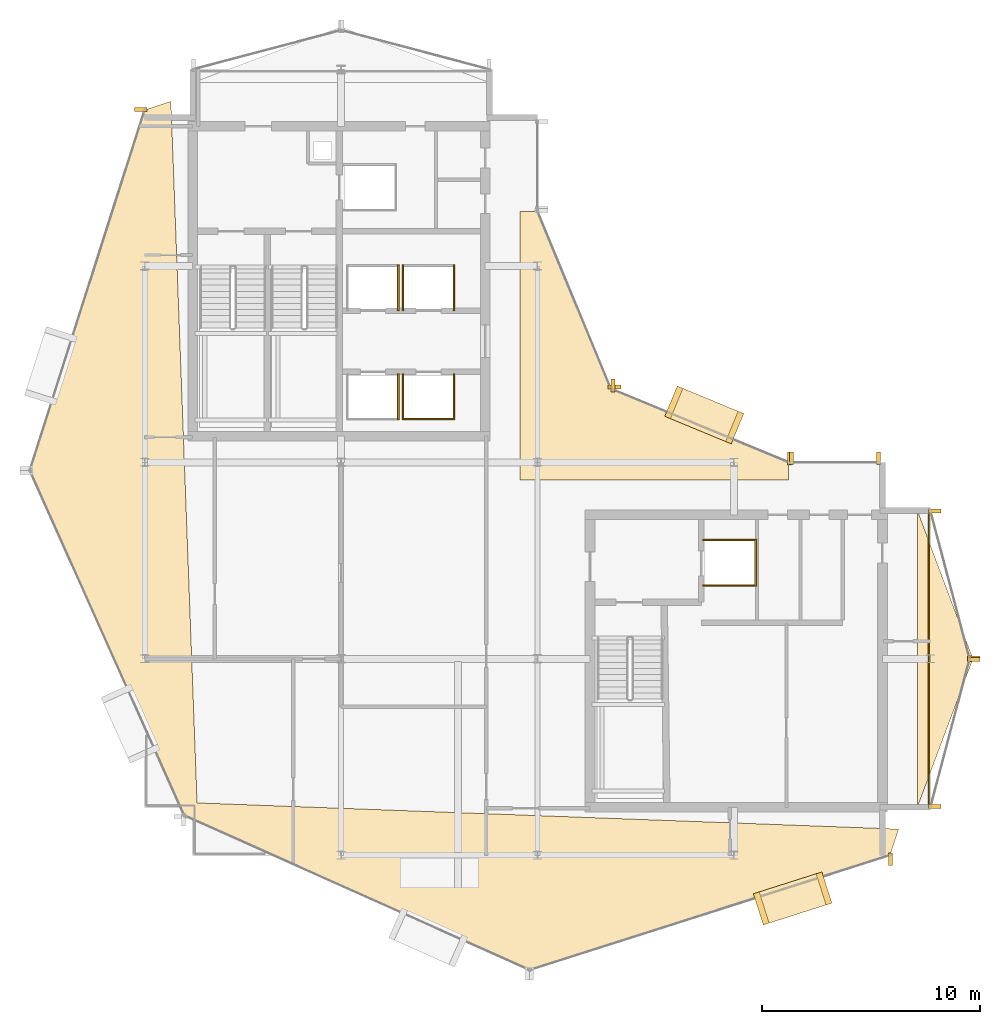
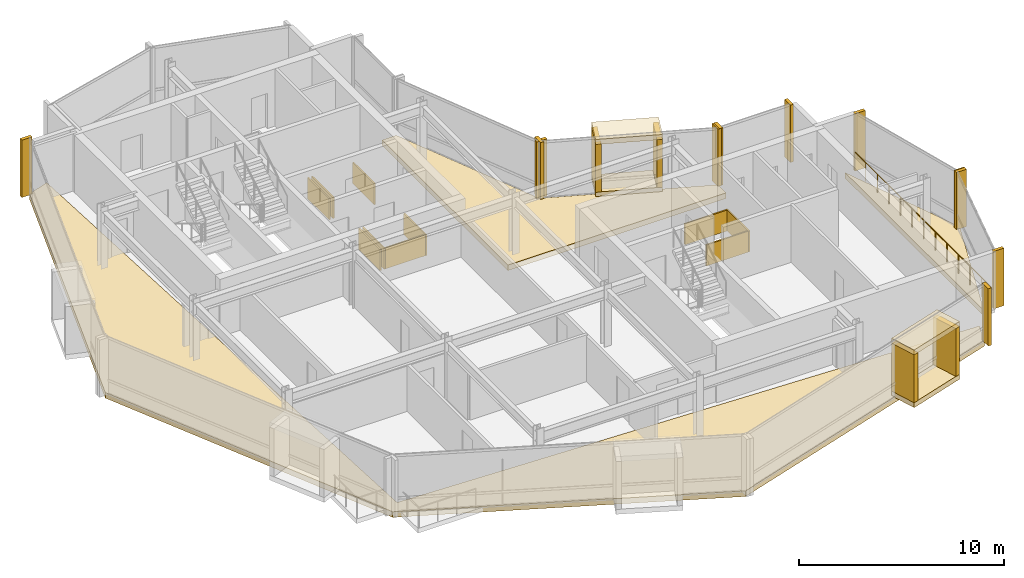
# One storey, part 18 of 19: 32 coverings, 1 railing.
"""IFC4 building model written with IfcOpenShell, lengths in metres."""

from ifc_helpers import new_model, si_unit, direction, frame, origin, origin_2d, place, context, subcontext, project, spatial, polyline, rectangle, circle, outline, extrude, material, layer, layer_set, type_object, element, save


model = new_model("IFC4")

# Units and contexts
model_context = context("Model", 3, precision=1e-05, world=origin(), true_north=direction((0.0, 1.0)))
body_context = subcontext(model_context, "Body", "Model", "MODEL_VIEW")
ifc_project = project(units=[si_unit("LENGTHUNIT", "METRE"), si_unit("AREAUNIT", "SQUARE_METRE"), si_unit("VOLUMEUNIT", "CUBIC_METRE"), si_unit("PLANEANGLEUNIT", "RADIAN"), si_unit("MASSUNIT", "GRAM", prefix="KILO")], contexts=[model_context])

# Site, building, storey
site_placement = place(None, origin())
site = spatial("IfcSite", under=ifc_project, at=site_placement, CompositionType="ELEMENT")
building_placement = place(site_placement, origin())
building = spatial("IfcBuilding", under=site, at=building_placement, Name="Solvaryn Broadcast Tower", CompositionType="ELEMENT")
storey_placement = place(building_placement, frame((0.0, 0.0, 266.699951171875)))
storey = spatial("IfcBuildingStorey", under=building, at=storey_placement, Name="L67", CompositionType="ELEMENT", Elevation=266.699951171875)

# Coverings
ifc_material_1 = material(Name="Fire-Rated Gypsum Shaftwall Liner", Category="concrete")
ifc_layer_1 = layer(ifc_material_1, 0.080078125)
ifc_layer_set_1 = layer_set([ifc_layer_1], Name="CV-SHAFT-LINER")
covering_type_1 = type_object("IfcCoveringType", Name="CV-SHAFT-LINER", PredefinedType="CLADDING", material=ifc_layer_set_1)
covering_1_placement = place(storey_placement, frame((20.614990234375, 30.0, 0.0), z_axis=(0.0, 0.0, 1.0), x_axis=(1.0, 0.0, 0.0)))
element("IfcCovering", 1, at=covering_1_placement, inside=storey, type_object=covering_type_1, Name="L67 PH1 Hoistway Shaft Liner East", PredefinedType="CLADDING", context=body_context, shape_type="SweptSolid", body=[
    extrude(rectangle(XDim=0.080078125, YDim=2.110107421875, at=origin_2d()), origin(), (0.0, 0.0, 1.0), 1.25),
])
covering_2_placement = place(storey_placement, frame((22.0, 28.985107421875, 0.0), z_axis=(0.0, 0.0, 1.0), x_axis=(1.0, 0.0, 0.0)))
element("IfcCovering", 2, at=covering_2_placement, inside=storey, type_object=covering_type_1, Name="L67 PH2 Hoistway Shaft Liner South", PredefinedType="CLADDING", context=body_context, shape_type="SweptSolid", body=[
    extrude(rectangle(XDim=2.409912109375, YDim=0.080078125, at=origin_2d()), origin(), (0.0, 0.0, 1.0), 1.25),
])
for number, where, z_axis, x_axis, name in (
    (3, (23.1650390625, 30.0, 0.0), (0.0, 0.0, 1.0), (1.0, 0.0, 0.0), "L67 PH2 Hoistway Shaft Liner East"),
    (4, (20.8349609375, 30.0, 0.0), (0.0, 0.0, 1.0), (1.0, 0.0, 0.0), "L67 PH2 Hoistway Shaft Liner West"),
    (5, (20.614990234375, 35.0, 0.0), (0.0, 0.0, 1.0), (1.0, 0.0, 0.0), "L67 PH3 Hoistway Shaft Liner East"),
    (6, (23.1650390625, 35.0, 0.0), (0.0, 0.0, 1.0), (1.0, 0.0, 0.0), "L67 PH4 Hoistway Shaft Liner East"),
    (7, (20.8349609375, 35.0, 0.0), (0.0, 0.0, 1.0), (1.0, 0.0, 0.0), "L67 PH4 Hoistway Shaft Liner West"),
):
    element("IfcCovering", number, at=place(storey_placement, frame(where, z_axis=z_axis, x_axis=x_axis)), inside=storey, type_object=covering_type_1, Name=name, PredefinedType="CLADDING", context=body_context, shape_type="SweptSolid", body=[
        extrude(rectangle(XDim=0.080078125, YDim=2.110107421875, at=origin_2d()), origin(), (0.0, 0.0, 1.0), 1.25),
    ])
for number, where, z_axis, x_axis, name in (
    (8, (35.800048828125, 23.43994140625, 0.0), (0.0, 0.0, 1.0), (1.0, 0.0, 0.0), "L67 FL2 Hoistway Shaft Liner North"),
    (9, (35.800048828125, 21.360107421875, 0.0), (0.0, 0.0, 1.0), (1.0, 0.0, 0.0), "L67 FL2 Hoistway Shaft Liner South"),
):
    element("IfcCovering", number, at=place(storey_placement, frame(where, z_axis=z_axis, x_axis=x_axis)), inside=storey, type_object=covering_type_1, Name=name, PredefinedType="CLADDING", context=body_context, shape_type="SweptSolid", body=[
        extrude(rectangle(XDim=2.4599609375, YDim=0.080078125, at=origin_2d()), origin(), (0.0, 0.0, 1.0), 1.25),
    ])
covering_3_placement = place(storey_placement, frame((36.989990234375, 22.39990234375, 0.0), z_axis=(0.0, 0.0, 1.0), x_axis=(1.0, 0.0, 0.0)))
element("IfcCovering", 10, at=covering_3_placement, inside=storey, type_object=covering_type_1, Name="L67 FL2 Hoistway Shaft Liner East", PredefinedType="CLADDING", context=body_context, shape_type="SweptSolid", body=[
    extrude(rectangle(XDim=0.080078125, YDim=2.159912109375, at=origin_2d()), origin(), (0.0, 0.0, 1.0), 1.25),
])
ifc_material_2 = material(Name="Glazed Architectural Terracotta Rainscreen Cladding", Category="masonry")
ifc_layer_2 = layer(ifc_material_2, 0.280029296875)
ifc_layer_set_2 = layer_set([ifc_layer_2], Name="CV-TC-CLAD")
covering_type_2 = type_object("IfcCoveringType", Name="CV-TC-CLAD", PredefinedType="CLADDING", material=ifc_layer_set_2)
for number, where, z_axis, x_axis, name in (
    (11, (38.68603515625, 7.02197265625, 3.1298828125), (0.0, 0.0, 1.0), (0.952820541996, 0.303534206887, 0.0), "L67 Projecting Stone Window Box Hood 4"),
    (12, (38.68603515625, 7.02197265625, -0.009765625), (0.0, 0.0, 1.0), (0.952820541996, 0.303534206887, 0.0), "L67 Projecting Stone Window Box Sill 4"),
):
    element("IfcCovering", number, at=place(storey_placement, frame(where, z_axis=z_axis, x_axis=x_axis)), inside=storey, type_object=covering_type_2, Name=name, PredefinedType="CLADDING", context=body_context, shape_type="SweptSolid", body=[
        extrude(rectangle(XDim=3.300048828125, YDim=1.5, at=origin_2d()), origin(), (0.0, 0.0, 1.0), 0.300048828125),
    ])
for number, where, z_axis, x_axis, name in (
    (13, (37.247314453125, 6.563720703125, 0.27978515625), (0.0, 0.0, 1.0), (0.952820541996, 0.303534206887, 0.0), "L67 Projecting Stone Window Box Cheek 4-1"),
    (14, (40.124755859375, 7.480224609375, 0.27978515625), (0.0, 0.0, 1.0), (0.952820541996, 0.303534206887, 0.0), "L67 Projecting Stone Window Box Cheek 4-2"),
):
    element("IfcCovering", number, at=place(storey_placement, frame(where, z_axis=z_axis, x_axis=x_axis)), inside=storey, type_object=covering_type_2, Name=name, PredefinedType="CLADDING", context=body_context, shape_type="SweptSolid", body=[
        extrude(rectangle(XDim=0.280029296875, YDim=1.5, at=origin_2d()), origin(), (0.0, 0.0, 1.0), 2.860107421875),
    ])
for number, where, z_axis, x_axis, name in (
    (15, (34.636962890625, 29.174072265625, 3.1298828125), (0.0, 0.0, 1.0), (-0.923879532511, 0.382683432365, 0.0), "L67 Projecting Stone Window Box Hood 5"),
    (16, (34.636962890625, 29.174072265625, -0.009765625), (0.0, 0.0, 1.0), (-0.923879532511, 0.382683432365, 0.0), "L67 Projecting Stone Window Box Sill 5"),
):
    element("IfcCovering", number, at=place(storey_placement, frame(where, z_axis=z_axis, x_axis=x_axis)), inside=storey, type_object=covering_type_2, Name=name, PredefinedType="CLADDING", context=body_context, shape_type="SweptSolid", body=[
        extrude(rectangle(XDim=3.300048828125, YDim=1.5, at=origin_2d()), origin(), (0.0, 0.0, 1.0), 0.300048828125),
    ])
for number, where, z_axis, x_axis, name in (
    (17, (36.031982421875, 28.59619140625, 0.27978515625), (0.0, 0.0, 1.0), (-0.923879532511, 0.382683432365, 0.0), "L67 Projecting Stone Window Box Cheek 5-1"),
    (18, (33.241943359375, 29.751953125, 0.27978515625), (0.0, 0.0, 1.0), (-0.923879532511, 0.382683432365, 0.0), "L67 Projecting Stone Window Box Cheek 5-2"),
):
    element("IfcCovering", number, at=place(storey_placement, frame(where, z_axis=z_axis, x_axis=x_axis)), inside=storey, type_object=covering_type_2, Name=name, PredefinedType="CLADDING", context=body_context, shape_type="SweptSolid", body=[
        extrude(rectangle(XDim=0.280029296875, YDim=1.5, at=origin_2d()), origin(), (0.0, 0.0, 1.0), 2.860107421875),
    ])
ifc_material_3 = material(Name="Extruded Architectural Terracotta Fin", Category="masonry")
ifc_layer_3 = layer(ifc_material_3, 0.179931640625)
ifc_layer_set_3 = layer_set([ifc_layer_3], Name="CV-TC-FIN")
covering_type_3 = type_object("IfcCoveringType", Name="CV-TC-FIN", PredefinedType="USERDEFINED", material=ifc_layer_set_3)
covering_4_placement = place(storey_placement, frame((8.819091796875, 43.17529296875, 0.0), z_axis=(0.0, 0.0, 1.0), x_axis=(1.0, 0.0, 0.0)))
element("IfcCovering", 19, at=covering_4_placement, inside=storey, type_object=covering_type_3, Name="L67 Terracotta Vertical Fin FIN-L67-DR1-M00", ObjectType="FIN", PredefinedType="USERDEFINED", context=body_context, shape_type="SweptSolid", body=[
    extrude(rectangle(XDim=0.580078125, YDim=0.179931640625, at=origin_2d()), origin(), (0.0, 0.0, 1.0), 3.419921875),
])
for number, where, z_axis, x_axis, name in (
    (20, (43.17529296875, 8.819091796875, 0.0), (0.0, 0.0, 1.0), (1.0, 0.0, 0.0), "L67 Terracotta Vertical Fin FIN-L67-DR4-M01"),
    (21, (38.541259765625, 27.177978515625, 0.0), (0.0, 0.0, 1.0), (1.0, 0.0, 0.0), "L67 Terracotta Vertical Fin FIN-L67-CN1-M00"),
    (22, (30.464599609375, 30.52294921875, 0.0), (0.0, 0.0, 1.0), (1.0, 0.0, 0.0), "L67 Terracotta Vertical Fin FIN-L67-CN1-M01"),
):
    element("IfcCovering", number, at=place(storey_placement, frame(where, z_axis=z_axis, x_axis=x_axis)), inside=storey, type_object=covering_type_3, Name=name, ObjectType="FIN", PredefinedType="USERDEFINED", context=body_context, shape_type="SweptSolid", body=[
        extrude(rectangle(XDim=0.179931640625, YDim=0.580078125, at=origin_2d()), origin(), (0.0, 0.0, 1.0), 3.419921875),
    ])
for number, where, z_axis, x_axis, name in (
    (23, (30.52294921875, 30.464599609375, 0.0), (0.0, 0.0, 1.0), (1.0, 0.0, 0.0), "L67 Terracotta Vertical Fin FIN-L67-CN2-M00"),
    (24, (45.1953125, 24.77099609375, 0.0), (0.0, 0.0, 1.0), (1.0, 0.0, 0.0), "L67 Terracotta Vertical Fin FIN-L67-ET1-M00"),
    (25, (46.979736328125, 18.029052734375, 0.0), (0.0, 0.0, 1.0), (1.0, 0.0, 0.0), "L67 Terracotta Vertical Fin FIN-L67-ET1-M01"),
    (26, (46.979736328125, 17.970947265625, 0.0), (0.0, 0.0, 1.0), (1.0, 0.0, 0.0), "L67 Terracotta Vertical Fin FIN-L67-ET2-M00"),
    (27, (45.1953125, 11.22900390625, 0.0), (0.0, 0.0, 1.0), (1.0, 0.0, 0.0), "L67 Terracotta Vertical Fin FIN-L67-ET2-M01"),
):
    element("IfcCovering", number, at=place(storey_placement, frame(where, z_axis=z_axis, x_axis=x_axis)), inside=storey, type_object=covering_type_3, Name=name, ObjectType="FIN", PredefinedType="USERDEFINED", context=body_context, shape_type="SweptSolid", body=[
        extrude(rectangle(XDim=0.580078125, YDim=0.179931640625, at=origin_2d()), origin(), (0.0, 0.0, 1.0), 3.419921875),
    ])
for number, where, z_axis, x_axis, name in (
    (28, (38.6298828125, 27.1875, 0.0), (0.0, 0.0, 1.0), (1.0, 0.0, 0.0), "L67 Terracotta Vertical Fin FIN-L67-IH-M00"),
    (29, (42.6201171875, 27.1875, 0.0), (0.0, 0.0, 1.0), (1.0, 0.0, 0.0), "L67 Terracotta Vertical Fin FIN-L67-IH-M01"),
):
    element("IfcCovering", number, at=place(storey_placement, frame(where, z_axis=z_axis, x_axis=x_axis)), inside=storey, type_object=covering_type_3, Name=name, ObjectType="FIN", PredefinedType="USERDEFINED", context=body_context, shape_type="SweptSolid", body=[
        extrude(rectangle(XDim=0.179931640625, YDim=0.580078125, at=origin_2d()), origin(), (0.0, 0.0, 1.0), 3.419921875),
    ])
ifc_material_4 = material(Name="Sculpted Architectural Terracotta Wave Fascia", Category="masonry")
ifc_layer_4 = layer(ifc_material_4, 0.340087890625)
ifc_layer_set_4 = layer_set([ifc_layer_4], Name="CV-WAVE-TRAY")
covering_type_4 = type_object("IfcCoveringType", Name="CV-WAVE-TRAY", PredefinedType="CLADDING", material=ifc_layer_set_4)
covering_5_placement = place(storey_placement, frame((0.0, 0.0, -0.300048828125)))
element("IfcCovering", 30, at=covering_5_placement, inside=storey, type_object=covering_type_4, Name="L67 Stepped Cylindrical Drum Floor Apron", PredefinedType="CLADDING", context=body_context, shape_type="SweptSolid", body=[
    extrude(outline(polyline([(10.199951171875, 43.549072265625), (9.0, 43.14892578125), (3.738037109375, 26.635986328125), (10.81689453125, 10.81689453125), (26.635986328125, 3.738037109375), (43.14892578125, 9.0), (43.14892578125, 9.0), (43.549072265625, 10.199951171875), (11.39990234375, 11.39990234375), (10.199951171875, 43.549072265625)])), origin(), (0.0, 0.0, 1.0), 0.330078125),
])
covering_6_placement = place(storey_placement, frame((0.0, 0.0, -0.300048828125)))
element("IfcCovering", 31, at=covering_6_placement, inside=storey, type_object=covering_type_4, Name="L67 Concave Canyon Floor Apron", PredefinedType="CLADDING", context=body_context, shape_type="SweptSolid", body=[
    extrude(outline(polyline([(26.199951171875, 26.199951171875), (38.5, 26.199951171875), (38.5, 27.0), (30.367919921875, 30.367919921875), (27.0, 38.5), (26.199951171875, 38.5), (26.199951171875, 26.199951171875)])), origin(), (0.0, 0.0, 1.0), 0.330078125),
])
covering_7_placement = place(storey_placement, frame((0.0, 0.0, -0.300048828125)))
element("IfcCovering", 32, at=covering_7_placement, inside=storey, type_object=covering_type_4, Name="L67 East Curved Wing Deck", PredefinedType="CLADDING", context=body_context, shape_type="SweptSolid", body=[
    extrude(outline(polyline([(44.39990234375, 11.199951171875), (46.949951171875, 18.0), (44.39990234375, 24.800048828125), (44.39990234375, 11.199951171875)])), origin(), (0.0, 0.0, 1.0), 0.330078125),
])

# Railing
ifc_material_5 = material(Name="Stainless Steel and Laminated Glass Guard", Category="steel")
railing_type = type_object("IfcRailingType", Name="RL-TER-1150", PredefinedType="BALUSTRADE", material=ifc_material_5)
railing_placement = place(storey_placement, frame((44.919921875, 11.199951171875, 0.0)))
element("IfcRailing", 33, at=railing_placement, inside=storey, type_object=railing_type, Name="L67 East Wing Spandrel Edge Guard", PredefinedType="BALUSTRADE", context=body_context, shape_type="SweptSolid", body=[
    extrude(circle(Radius=0.02392578125, at=origin_2d()), frame((0.0, 0.0, 1.1259765625), z_axis=(0.0, 1.0, 0.0), x_axis=(-1.0, 0.0, 0.0)), (0.0, 0.0, 1.0), 13.60009765625),
    extrude(circle(Radius=0.02099609375, at=origin_2d()), origin(), (0.0, 0.0, 1.0), 1.101806640625),
    extrude(circle(Radius=0.02099609375, at=origin_2d()), frame((0.0, 1.13330078125, 0.0)), (0.0, 0.0, 1.0), 1.101806640625),
    extrude(circle(Radius=0.02099609375, at=origin_2d()), frame((0.0, 2.2666015625, 0.0)), (0.0, 0.0, 1.0), 1.101806640625),
    extrude(circle(Radius=0.02099609375, at=origin_2d()), frame((0.0, 3.39990234375, 0.0)), (0.0, 0.0, 1.0), 1.101806640625),
    extrude(circle(Radius=0.02099609375, at=origin_2d()), frame((0.0, 4.533447265625, 0.0)), (0.0, 0.0, 1.0), 1.101806640625),
    extrude(circle(Radius=0.02099609375, at=origin_2d()), frame((0.0, 5.666748046875, 0.0)), (0.0, 0.0, 1.0), 1.101806640625),
    extrude(circle(Radius=0.02099609375, at=origin_2d()), frame((0.0, 6.800048828125, 0.0)), (0.0, 0.0, 1.0), 1.101806640625),
    extrude(circle(Radius=0.02099609375, at=origin_2d()), frame((0.0, 7.933349609375, 0.0)), (0.0, 0.0, 1.0), 1.101806640625),
    extrude(circle(Radius=0.02099609375, at=origin_2d()), frame((0.0, 9.066650390625, 0.0)), (0.0, 0.0, 1.0), 1.101806640625),
    extrude(circle(Radius=0.02099609375, at=origin_2d()), frame((0.0, 10.2001953125, 0.0)), (0.0, 0.0, 1.0), 1.101806640625),
    extrude(circle(Radius=0.02099609375, at=origin_2d()), frame((0.0, 11.33349609375, 0.0)), (0.0, 0.0, 1.0), 1.101806640625),
    extrude(circle(Radius=0.02099609375, at=origin_2d()), frame((0.0, 12.466796875, 0.0)), (0.0, 0.0, 1.0), 1.101806640625),
    extrude(circle(Radius=0.02099609375, at=origin_2d()), frame((0.0, 13.60009765625, 0.0)), (0.0, 0.0, 1.0), 1.101806640625),
])

save(model, "model.ifc")
